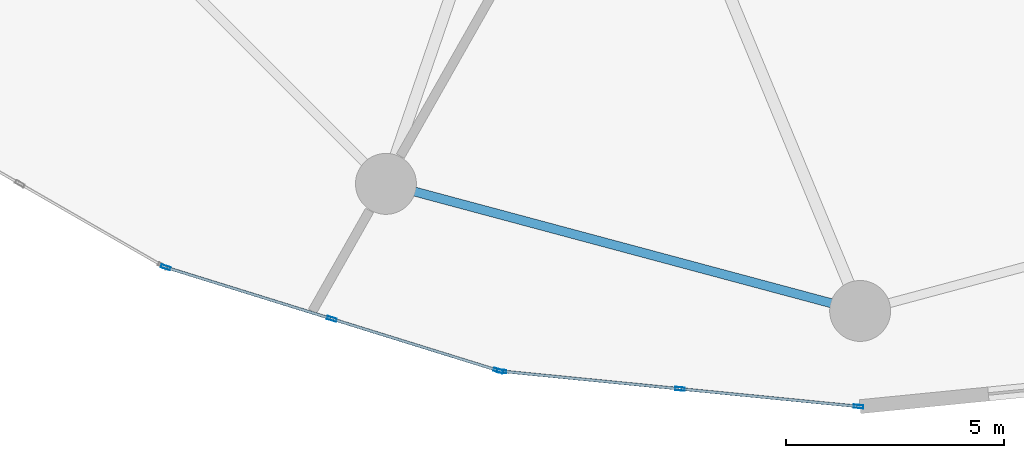
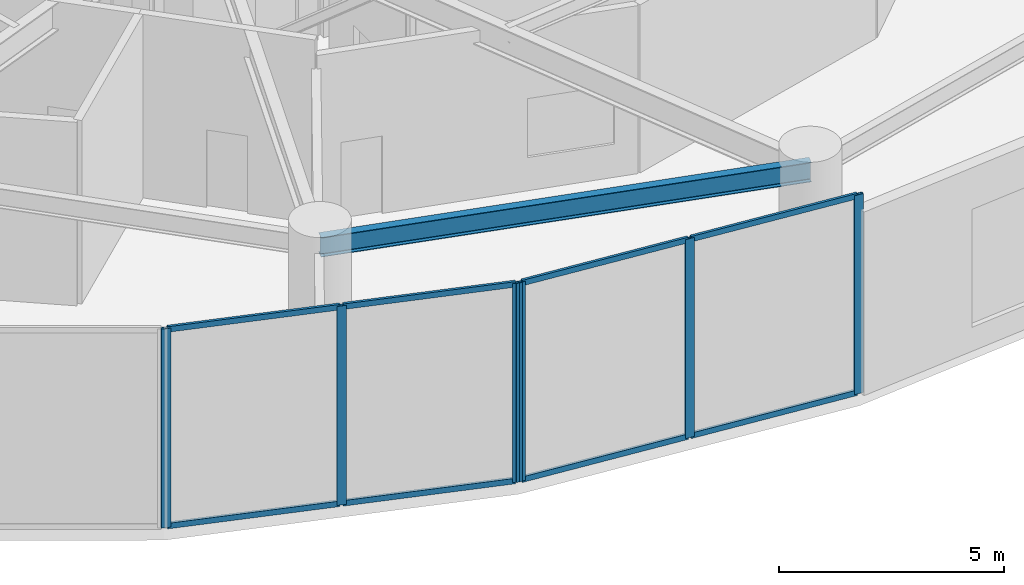
# One storey, part 5 of 29: 14 members, 1 beam, 2 elements without a shape of their own.
"""IFC4 building model written with IfcOpenShell, lengths in metres."""

from ifc_helpers import new_model, si_unit, direction, frame, origin, origin_2d, place, context, subcontext, project, spatial, hollow_rectangle, i_section, extrude, source, transform, mapped, material, layer, layer_set, material_profile, profile_set, type_object, element, aggregate, save


model = new_model("IFC4")

# Units and contexts
model_context = context("Model", 3, precision=1e-05, world=origin(), true_north=direction((0.0, 1.0)))
body_context = subcontext(model_context, "Body", "Model", "MODEL_VIEW")
ifc_project = project(units=[si_unit("LENGTHUNIT", "METRE"), si_unit("AREAUNIT", "SQUARE_METRE"), si_unit("VOLUMEUNIT", "CUBIC_METRE"), si_unit("PLANEANGLEUNIT", "RADIAN"), si_unit("MASSUNIT", "GRAM", prefix="KILO")], contexts=[model_context])

# Site, building, storey
site_placement = place(None, origin())
site = spatial("IfcSite", under=ifc_project, at=site_placement, CompositionType="ELEMENT")
building_placement = place(site_placement, origin())
building = spatial("IfcBuilding", under=site, at=building_placement, Name="Solvirekh Grand Hotel", CompositionType="ELEMENT")
storey_placement = place(building_placement, frame((0.0, 0.0, 7.199951171875)))
storey = spatial("IfcBuildingStorey", under=building, at=storey_placement, Name="L01", CompositionType="ELEMENT", Elevation=7.199951171875)

# Beam
ifc_material_1 = material(Name="Steel S355", Category="steel")
ifc_material_profile_1 = material_profile(ifc_material_1, i_section(OverallWidth=0.208984375, OverallDepth=0.532958984375, WebThickness=0.010009765625, FlangeThickness=0.014892578125, FilletRadius=0.013916015625, at=origin_2d()), Name="W530X92")
ifc_profile_set_1 = profile_set([ifc_material_profile_1], Name="Steel S355")
beam_type = type_object("IfcBeamType", Name="Spandrel_Ring_W530", PredefinedType="SPANDREL", material=ifc_profile_set_1)
beam_placement = place(storey_placement, frame((-10.89990234375, -18.87890625, 4.713134765625), z_axis=(0.965914248703, -0.258862249378, 0.0), x_axis=(0.258862249378, 0.965914248703, 0.0)))
element("IfcBeam", 1, at=beam_placement, inside=storey, type_object=beam_type, Name="L01 perimeter spandrel beam 9", PredefinedType="SPANDREL", context=body_context, shape_type="SweptSolid", body=[
    extrude(i_section(OverallWidth=0.208984375, OverallDepth=0.532958984375, WebThickness=0.010009765625, FlangeThickness=0.014892578125, FilletRadius=0.013916015625, at=origin_2d()), origin(), (0.0, 0.0, 1.0), 11.284423828125),
])

# Curtain wall, members
ifc_material_2 = material(Name="Anodized Bronze Aluminium 6063-T6", Category="aluminium")
ifc_layer = layer(ifc_material_2, 0.219970703125)
ifc_layer_set = layer_set([ifc_layer], Name="Anodized Bronze Aluminium 6063-T6")
curtain_wall_type = type_object("IfcCurtainWallType", Name="CW_Sys1_PodiumBronzeUnitised", PredefinedType="NOTDEFINED", material=ifc_layer_set)
curtain_wall_1_placement = place(storey_placement, origin())
curtain_wall_1 = element("IfcCurtainWall", 2, at=curtain_wall_1_placement, inside=storey, type_object=curtain_wall_type, Name="L01 unitised bronze-glass curtain wall CW-L01-C17", PredefinedType="NOTDEFINED")
ifc_material_profile_2 = material_profile(ifc_material_2, hollow_rectangle(XDim=0.074951171875, YDim=0.219970703125, WallThickness=0.006103515625, at=origin_2d()), Name="ALU RHS 220X75X6")
ifc_profile_set_2 = profile_set([ifc_material_profile_2], Name="Anodized Bronze Aluminium 6063-T6")
member_type_1 = type_object("IfcMemberType", Name="CWMullion_Sys1", PredefinedType="MULLION", material=ifc_profile_set_2)
shared_shape_1 = source(origin(), body_context, "Body", "SweptSolid", [
    extrude(hollow_rectangle(XDim=0.074951171875, YDim=0.219970703125, WallThickness=0.006103515625, at=origin_2d()), origin(), (0.0, 0.0, 1.0), 5.400146484375),
])
member_1_placement = place(storey_placement, frame((-15.964111328125, -20.796142578125, 0.0), z_axis=(0.0, 0.0, 1.0), x_axis=(0.296597697719, 0.955002516074, 0.0)))
member_1 = element("IfcMember", 3, at=member_1_placement, type_object=member_type_1, Name="U01 mullion 1", PredefinedType="MULLION", context=body_context, shape_type="MappedRepresentation", body=[
    mapped(shared_shape_1, transform((0.0, 0.0, 0.0), x_axis=(1.0, 0.0, 0.0), y_axis=(0.0, 1.0, 0.0), z_axis=(0.0, 0.0, 1.0), scale=1.0)),
])
member_2_placement = place(storey_placement, frame((-12.14111328125, -21.9833984375, 0.0), z_axis=(0.0, 0.0, 1.0), x_axis=(0.296597697719, 0.955002516074, 0.0)))
member_2 = element("IfcMember", 4, at=member_2_placement, type_object=member_type_1, Name="U01 mullion 2", PredefinedType="MULLION", context=body_context, shape_type="MappedRepresentation", body=[
    mapped(shared_shape_1, transform((0.0, 0.0, 0.0), x_axis=(1.0, 0.0, 0.0), y_axis=(0.0, 1.0, 0.0), z_axis=(0.0, 0.0, 1.0), scale=1.0)),
])
member_3_placement = place(storey_placement, frame((-8.31787109375, -23.1708984375, 0.0), z_axis=(0.0, 0.0, 1.0), x_axis=(0.296597697719, 0.955002516074, 0.0)))
member_3 = element("IfcMember", 5, at=member_3_placement, type_object=member_type_1, Name="U01 mullion 3", PredefinedType="MULLION", context=body_context, shape_type="MappedRepresentation", body=[
    mapped(shared_shape_1, transform((0.0, 0.0, 0.0), x_axis=(1.0, 0.0, 0.0), y_axis=(0.0, 1.0, 0.0), z_axis=(0.0, 0.0, 1.0), scale=1.0)),
])

curtain_wall_2_placement = place(storey_placement, origin())
curtain_wall_2 = element("IfcCurtainWall", 6, at=curtain_wall_2_placement, inside=storey, type_object=curtain_wall_type, Name="L01 unitised bronze-glass curtain wall CW-L01-C18", PredefinedType="NOTDEFINED")
member_4_placement = place(storey_placement, frame((-8.24462890625, -23.185791015625, 0.0), z_axis=(0.0, 0.0, 1.0), x_axis=(0.098290156916, 0.995157799072, 0.0)))
member_4 = element("IfcMember", 7, at=member_4_placement, type_object=member_type_1, Name="U01 mullion 1", PredefinedType="MULLION", context=body_context, shape_type="MappedRepresentation", body=[
    mapped(shared_shape_1, transform((0.0, 0.0, 0.0), x_axis=(1.0, 0.0, 0.0), y_axis=(0.0, 1.0, 0.0), z_axis=(0.0, 0.0, 1.0), scale=1.0)),
])
member_5_placement = place(storey_placement, frame((-4.14111328125, -23.591064453125, 0.0), z_axis=(0.0, 0.0, 1.0), x_axis=(0.098290156916, 0.995157799072, 0.0)))
member_5 = element("IfcMember", 8, at=member_5_placement, type_object=member_type_1, Name="U01 mullion 2", PredefinedType="MULLION", context=body_context, shape_type="MappedRepresentation", body=[
    mapped(shared_shape_1, transform((0.0, 0.0, 0.0), x_axis=(1.0, 0.0, 0.0), y_axis=(0.0, 1.0, 0.0), z_axis=(0.0, 0.0, 1.0), scale=1.0)),
])
member_6_placement = place(storey_placement, frame((-0.037353515625, -23.996337890625, 0.0), z_axis=(0.0, 0.0, 1.0), x_axis=(0.098290156916, 0.995157799072, 0.0)))
member_6 = element("IfcMember", 9, at=member_6_placement, type_object=member_type_1, Name="U01 mullion 3", PredefinedType="MULLION", context=body_context, shape_type="MappedRepresentation", body=[
    mapped(shared_shape_1, transform((0.0, 0.0, 0.0), x_axis=(1.0, 0.0, 0.0), y_axis=(0.0, 1.0, 0.0), z_axis=(0.0, 0.0, 1.0), scale=1.0)),
])

# Member
ifc_material_profile_3 = material_profile(ifc_material_2, hollow_rectangle(XDim=0.06494140625, YDim=0.14990234375, WallThickness=0.0048828125, at=origin_2d()), Name="ALU RHS 150X65X5")
ifc_profile_set_3 = profile_set([ifc_material_profile_3], Name="Anodized Bronze Aluminium 6063-T6")
member_type_2 = type_object("IfcMemberType", Name="CWTransom_Sys1", PredefinedType="USERDEFINED", material=ifc_profile_set_3)
shared_shape_2 = source(origin(), body_context, "Body", "SweptSolid", [
    extrude(hollow_rectangle(XDim=0.06494140625, YDim=0.14990234375, WallThickness=0.0048828125, at=origin_2d()), origin(), (0.0, 0.0, 1.0), 3.928466796875),
])
member_7_placement = place(storey_placement, frame((-15.928466796875, -20.80712890625, 0.032470703125), z_axis=(0.954994955045, -0.296622042066, 0.0), x_axis=(0.296622042066, 0.954994955045, 0.0)))
member_7 = element("IfcMember", 10, at=member_7_placement, type_object=member_type_2, Name="U01 transom 1.1", ObjectType="TRANSOM", PredefinedType="USERDEFINED", context=body_context, shape_type="MappedRepresentation", body=[
    mapped(shared_shape_2, transform((0.0, 0.0, 0.0), x_axis=(1.0, 0.0, 0.0), y_axis=(0.0, 1.0, 0.0), z_axis=(0.0, 0.0, 1.0), scale=1.0)),
])

member_8_placement = place(storey_placement, frame((-15.928466796875, -20.80712890625, 5.367431640625), z_axis=(0.954994955045, -0.296622042066, 0.0), x_axis=(0.296622042066, 0.954994955045, 0.0)))
member_8 = element("IfcMember", 11, at=member_8_placement, type_object=member_type_2, Name="U01 transom 1.2", ObjectType="TRANSOM", PredefinedType="USERDEFINED", context=body_context, shape_type="MappedRepresentation", body=[
    mapped(shared_shape_2, transform((0.0, 0.0, 0.0), x_axis=(1.0, 0.0, 0.0), y_axis=(0.0, 1.0, 0.0), z_axis=(0.0, 0.0, 1.0), scale=1.0)),
])

member_9_placement = place(storey_placement, frame((-12.105224609375, -21.99462890625, 0.032470703125), z_axis=(0.955012557895, -0.296565362548, 0.0), x_axis=(0.296565362548, 0.955012557895, 0.0)))
member_9 = element("IfcMember", 12, at=member_9_placement, type_object=member_type_2, Name="U01 transom 2.1", ObjectType="TRANSOM", PredefinedType="USERDEFINED", context=body_context, shape_type="MappedRepresentation", body=[
    mapped(shared_shape_2, transform((0.0, 0.0, 0.0), x_axis=(1.0, 0.0, 0.0), y_axis=(0.0, 1.0, 0.0), z_axis=(0.0, 0.0, 1.0), scale=1.0)),
])

member_10_placement = place(storey_placement, frame((-12.105224609375, -21.99462890625, 5.367431640625), z_axis=(0.955012557895, -0.296565362548, 0.0), x_axis=(0.296565362548, 0.955012557895, 0.0)))
member_10 = element("IfcMember", 13, at=member_10_placement, type_object=member_type_2, Name="U01 transom 2.2", ObjectType="TRANSOM", PredefinedType="USERDEFINED", context=body_context, shape_type="MappedRepresentation", body=[
    mapped(shared_shape_2, transform((0.0, 0.0, 0.0), x_axis=(1.0, 0.0, 0.0), y_axis=(0.0, 1.0, 0.0), z_axis=(0.0, 0.0, 1.0), scale=1.0)),
])

aggregate(curtain_wall_1, [member_1, member_2, member_3, member_7, member_8, member_9, member_10])

shared_shape_3 = source(origin(), body_context, "Body", "SweptSolid", [
    extrude(hollow_rectangle(XDim=0.06494140625, YDim=0.14990234375, WallThickness=0.0048828125, at=origin_2d()), origin(), (0.0, 0.0, 1.0), 4.048583984375),
])
member_11_placement = place(storey_placement, frame((-8.207275390625, -23.189453125, 0.032470703125), z_axis=(0.995157652359, -0.098291642328, 0.0), x_axis=(0.098291642328, 0.995157652359, 0.0)))
member_11 = element("IfcMember", 14, at=member_11_placement, type_object=member_type_2, Name="U01 transom 1.1", ObjectType="TRANSOM", PredefinedType="USERDEFINED", context=body_context, shape_type="MappedRepresentation", body=[
    mapped(shared_shape_3, transform((0.0, 0.0, 0.0), x_axis=(1.0, 0.0, 0.0), y_axis=(0.0, 1.0, 0.0), z_axis=(0.0, 0.0, 1.0), scale=1.0)),
])

member_12_placement = place(storey_placement, frame((-8.207275390625, -23.189453125, 5.367431640625), z_axis=(0.995157652359, -0.098291642328, 0.0), x_axis=(0.098291642328, 0.995157652359, 0.0)))
member_12 = element("IfcMember", 15, at=member_12_placement, type_object=member_type_2, Name="U01 transom 1.2", ObjectType="TRANSOM", PredefinedType="USERDEFINED", context=body_context, shape_type="MappedRepresentation", body=[
    mapped(shared_shape_3, transform((0.0, 0.0, 0.0), x_axis=(1.0, 0.0, 0.0), y_axis=(0.0, 1.0, 0.0), z_axis=(0.0, 0.0, 1.0), scale=1.0)),
])

member_13_placement = place(storey_placement, frame((-4.103759765625, -23.5947265625, 0.032470703125), z_axis=(0.995157652359, -0.098291642328, 0.0), x_axis=(0.098291642328, 0.995157652359, 0.0)))
member_13 = element("IfcMember", 16, at=member_13_placement, type_object=member_type_2, Name="U01 transom 2.1", ObjectType="TRANSOM", PredefinedType="USERDEFINED", context=body_context, shape_type="MappedRepresentation", body=[
    mapped(shared_shape_3, transform((0.0, 0.0, 0.0), x_axis=(1.0, 0.0, 0.0), y_axis=(0.0, 1.0, 0.0), z_axis=(0.0, 0.0, 1.0), scale=1.0)),
])

member_14_placement = place(storey_placement, frame((-4.103759765625, -23.5947265625, 5.367431640625), z_axis=(0.995157652359, -0.098291642328, 0.0), x_axis=(0.098291642328, 0.995157652359, 0.0)))
member_14 = element("IfcMember", 17, at=member_14_placement, type_object=member_type_2, Name="U01 transom 2.2", ObjectType="TRANSOM", PredefinedType="USERDEFINED", context=body_context, shape_type="MappedRepresentation", body=[
    mapped(shared_shape_3, transform((0.0, 0.0, 0.0), x_axis=(1.0, 0.0, 0.0), y_axis=(0.0, 1.0, 0.0), z_axis=(0.0, 0.0, 1.0), scale=1.0)),
])

aggregate(curtain_wall_2, [member_4, member_5, member_6, member_11, member_12, member_13, member_14])

save(model, "model.ifc")
